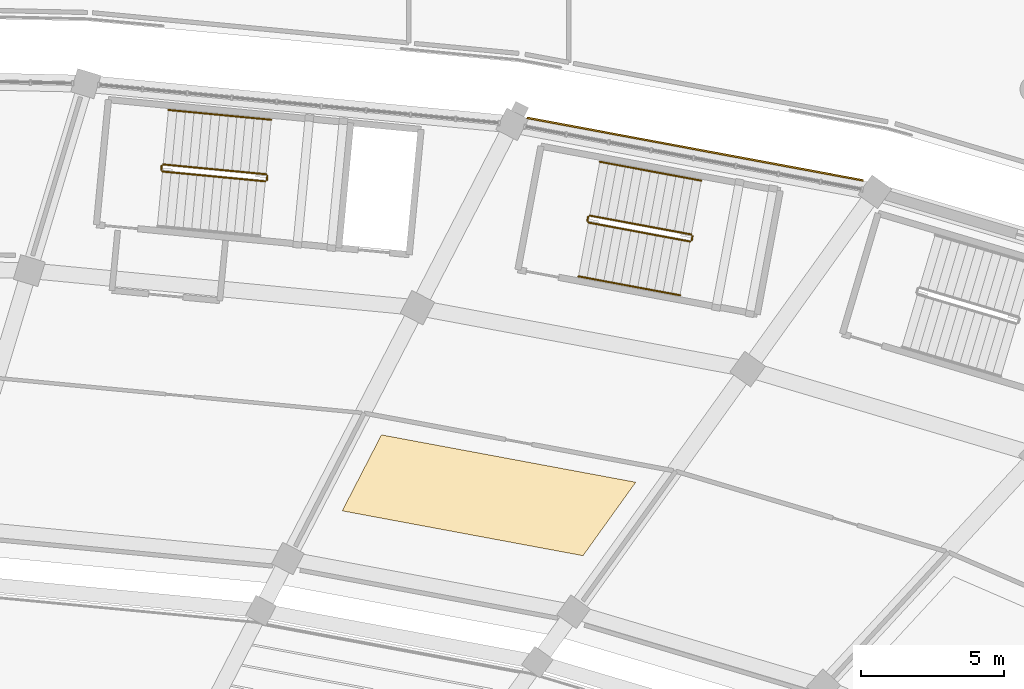
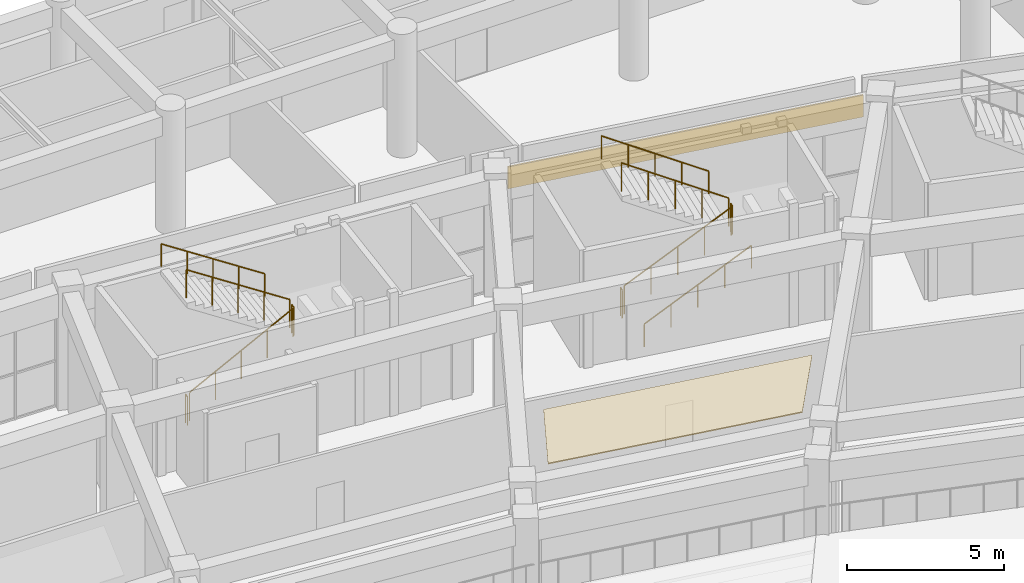
# One storey, part 150 of 152: 11 railings, 2 coverings.
"""IFC4 building model written with IfcOpenShell, lengths in metres."""

from ifc_helpers import new_model, si_unit, direction, frame, origin, origin_2d, place, context, subcontext, project, spatial, polyline, rectangle, circle, outline, extrude, material, layer, layer_set, type_object, element, save


model = new_model("IFC4")

# Units and contexts
model_context = context("Model", 3, precision=1e-05, world=origin(), true_north=direction((0.0, 1.0)))
body_context = subcontext(model_context, "Body", "Model", "MODEL_VIEW")
ifc_project = project(units=[si_unit("LENGTHUNIT", "METRE"), si_unit("AREAUNIT", "SQUARE_METRE"), si_unit("VOLUMEUNIT", "CUBIC_METRE"), si_unit("PLANEANGLEUNIT", "RADIAN"), si_unit("MASSUNIT", "GRAM", prefix="KILO")], contexts=[model_context])

# Site, building, storey
site_placement = place(None, origin())
site = spatial("IfcSite", under=ifc_project, at=site_placement, CompositionType="ELEMENT")
building_placement = place(site_placement, origin())
building = spatial("IfcBuilding", under=site, at=building_placement, Name="Mphavela Belvedere Stadium", CompositionType="ELEMENT")
storey_placement = place(building_placement, frame((0.0, 0.0, 5.39990234375)))
storey = spatial("IfcBuildingStorey", under=building, at=storey_placement, Name="L01", CompositionType="ELEMENT", Elevation=5.39990234375)

# Coverings
ifc_material_1 = material(Name="Perforated acoustic mineral ceiling tile")
ifc_layer_1 = layer(ifc_material_1, 0.0400390625)
ifc_layer_set_1 = layer_set([ifc_layer_1], Name="Perforated acoustic mineral ceiling tile")
covering_type_1 = type_object("IfcCoveringType", Name="COV-CEILING-ACOUSTIC", PredefinedType="CEILING", material=ifc_layer_set_1)
covering_1_placement = place(storey_placement, frame((0.0, 0.0, 3.5)))
element("IfcCovering", 1, at=covering_1_placement, inside=storey, type_object=covering_type_1, Name="Concourse acoustic ceiling L01-10", PredefinedType="CEILING", context=body_context, shape_type="SweptSolid", body=[
    extrude(outline(polyline([(154.560546875, 143.632568359375), (146.1123046875, 145.2060546875), (147.489013671875, 147.870849609375), (156.409912109375, 146.20947265625), (154.560546875, 143.632568359375)])), origin(), (0.0, 0.0, 1.0), 0.0400390625),
])
ifc_material_2 = material(Name="Carved classical limestone entablature frieze cladding", Category="masonry")
ifc_layer_2 = layer(ifc_material_2, 0.06005859375)
ifc_layer_set_2 = layer_set([ifc_layer_2], Name="Carved classical limestone entablature frieze cladding")
covering_type_2 = type_object("IfcCoveringType", Name="COV-FRIEZE-CLAD", PredefinedType="CLADDING", material=ifc_layer_set_2)
covering_2_placement = place(storey_placement, frame((158.49560546875, 157.896728515625, 3.594970703125), z_axis=(0.0, 0.0, 1.0), x_axis=(-0.983095502692, 0.183093507769, 0.0)))
element("IfcCovering", 2, at=covering_2_placement, inside=storey, type_object=covering_type_2, Name="Classical entablature frieze cladding L01-10", PredefinedType="CLADDING", context=body_context, shape_type="SweptSolid", body=[
    extrude(rectangle(XDim=12.00146484375, YDim=0.06005859375, at=origin_2d()), origin(), (0.0, 0.0, 1.0), 0.85009765625),
])

# Railings
ifc_material_3 = material(Name="Painted galvanised steel stair guardrail", Category="steel")
railing_type_1 = type_object("IfcRailingType", Name="RAL-GUARD-1120", PredefinedType="GUARDRAIL", material=ifc_material_3)
railing_1_placement = place(storey_placement, frame((139.807861328125, 157.11181640625, 0.184814453125)))
element("IfcRailing", 3, at=railing_1_placement, inside=storey, type_object=railing_type_1, Name="L01 ST-C03 stair guard 1", PredefinedType="GUARDRAIL", context=body_context, shape_type="SweptSolid", body=[
    extrude(circle(Radius=0.02392578125, at=origin_2d()), frame((0.0, 0.0, 1.09619140625), z_axis=(0.849357654055, -0.081044480762, 0.521558594633), x_axis=(0.094987121002, 0.995478501447, 0.0)), (0.0, 0.0, 1.0), 4.24755859375),
    extrude(circle(Radius=0.02099609375, at=origin_2d()), origin(), (0.0, 0.0, 1.0), 1.072021484375),
    extrude(circle(Radius=0.02099609375, at=origin_2d()), frame((0.90185546875, -0.0859375, 0.5537109375)), (0.0, 0.0, 1.0), 1.072021484375),
    extrude(circle(Radius=0.02099609375, at=origin_2d()), frame((1.8037109375, -0.172119140625, 1.107666015625)), (0.0, 0.0, 1.0), 1.072021484375),
    extrude(circle(Radius=0.02099609375, at=origin_2d()), frame((2.705810546875, -0.25830078125, 1.66162109375)), (0.0, 0.0, 1.0), 1.072021484375),
    extrude(circle(Radius=0.02099609375, at=origin_2d()), frame((3.607666015625, -0.34423828125, 2.21533203125)), (0.0, 0.0, 1.0), 1.072021484375),
])
railing_2_placement = place(storey_placement, frame((143.47021484375, 156.812744140625, 2.400146484375)))
element("IfcRailing", 4, at=railing_2_placement, inside=storey, type_object=railing_type_1, Name="L01 ST-C03 stair guard 2", PredefinedType="GUARDRAIL", context=body_context, shape_type="SweptSolid", body=[
    extrude(circle(Radius=0.02392578125, at=origin_2d()), frame((0.0, 0.0, 1.09619140625), z_axis=(0.094501527919, 0.995524716529, 0.0), x_axis=(-0.995524716529, 0.094501527919, 0.0)), (0.0, 0.0, 1.0), 0.14990234375),
    extrude(circle(Radius=0.02099609375, at=origin_2d()), origin(), (0.0, 0.0, 1.0), 1.072021484375),
    extrude(circle(Radius=0.02099609375, at=origin_2d()), frame((0.01416015625, 0.149169921875, 0.0)), (0.0, 0.0, 1.0), 1.072021484375),
])
railing_3_placement = place(storey_placement, frame((143.439453125, 157.0166015625, 2.584716796875)))
element("IfcRailing", 5, at=railing_3_placement, inside=storey, type_object=railing_type_1, Name="L01 ST-C03 stair guard 3", PredefinedType="GUARDRAIL", context=body_context, shape_type="SweptSolid", body=[
    extrude(circle(Radius=0.02392578125, at=origin_2d()), frame((0.0, 0.0, 1.09619140625), z_axis=(-0.849361609245, 0.080987379538, 0.521561023367), x_axis=(-0.094920361429, -0.99548486929, 0.0)), (0.0, 0.0, 1.0), 4.24755859375),
    extrude(circle(Radius=0.02099609375, at=origin_2d()), origin(), (0.0, 0.0, 1.0), 1.072021484375),
    extrude(circle(Radius=0.02099609375, at=origin_2d()), frame((-0.90185546875, 0.0859375, 0.5537109375)), (0.0, 0.0, 1.0), 1.072021484375),
    extrude(circle(Radius=0.02099609375, at=origin_2d()), frame((-1.8037109375, 0.171875, 1.107666015625)), (0.0, 0.0, 1.0), 1.072021484375),
    extrude(circle(Radius=0.02099609375, at=origin_2d()), frame((-2.705810546875, 0.258056640625, 1.66162109375)), (0.0, 0.0, 1.0), 1.072021484375),
    extrude(circle(Radius=0.02099609375, at=origin_2d()), frame((-3.607666015625, 0.343994140625, 2.21533203125)), (0.0, 0.0, 1.0), 1.072021484375),
])
railing_4_placement = place(storey_placement, frame((139.762939453125, 157.166259765625, 0.0)))
element("IfcRailing", 6, at=railing_4_placement, inside=storey, type_object=railing_type_1, Name="L01 ST-C03 stair guard 4", PredefinedType="GUARDRAIL", context=body_context, shape_type="SweptSolid", body=[
    extrude(circle(Radius=0.02392578125, at=origin_2d()), frame((0.0, 0.0, 1.09619140625), z_axis=(0.094348489313, 0.995539232057, 0.0), x_axis=(-0.995539232057, 0.094348489313, 0.0)), (0.0, 0.0, 1.0), 0.150146484375),
    extrude(circle(Radius=0.02099609375, at=origin_2d()), origin(), (0.0, 0.0, 1.0), 1.072021484375),
    extrude(circle(Radius=0.02099609375, at=origin_2d()), frame((0.01416015625, 0.1494140625, 0.0)), (0.0, 0.0, 1.0), 1.072021484375),
])
railing_5_placement = place(storey_placement, frame((154.753173828125, 155.321044921875, 0.184814453125)))
element("IfcRailing", 7, at=railing_5_placement, inside=storey, type_object=railing_type_1, Name="L01 ST-P02 stair guard 1", PredefinedType="GUARDRAIL", context=body_context, shape_type="SweptSolid", body=[
    extrude(circle(Radius=0.02392578125, at=origin_2d()), frame((0.0, 0.0, 1.09619140625), z_axis=(0.838788087983, -0.156227370872, 0.521562606068), x_axis=(0.183104767783, 0.983093405539, 0.0)), (0.0, 0.0, 1.0), 4.24755859375),
    extrude(circle(Radius=0.02099609375, at=origin_2d()), origin(), (0.0, 0.0, 1.0), 1.072021484375),
    extrude(circle(Radius=0.02099609375, at=origin_2d()), frame((0.890625, -0.166015625, 0.5537109375)), (0.0, 0.0, 1.0), 1.072021484375),
    extrude(circle(Radius=0.02099609375, at=origin_2d()), frame((1.78125, -0.331787109375, 1.107666015625)), (0.0, 0.0, 1.0), 1.072021484375),
    extrude(circle(Radius=0.02099609375, at=origin_2d()), frame((2.672119140625, -0.49755859375, 1.66162109375)), (0.0, 0.0, 1.0), 1.072021484375),
    extrude(circle(Radius=0.02099609375, at=origin_2d()), frame((3.562744140625, -0.66357421875, 2.21533203125)), (0.0, 0.0, 1.0), 1.072021484375),
])
railing_6_placement = place(storey_placement, frame((158.374267578125, 154.697509765625, 2.400146484375)))
element("IfcRailing", 8, at=railing_6_placement, inside=storey, type_object=railing_type_1, Name="L01 ST-P02 stair guard 2", PredefinedType="GUARDRAIL", context=body_context, shape_type="SweptSolid", body=[
    extrude(circle(Radius=0.02392578125, at=origin_2d()), frame((0.0, 0.0, 1.09619140625), z_axis=(0.183895489382, 0.982945801652, 0.0), x_axis=(-0.982945801652, 0.183895489382, 0.0)), (0.0, 0.0, 1.0), 0.14990234375),
    extrude(circle(Radius=0.02099609375, at=origin_2d()), origin(), (0.0, 0.0, 1.0), 1.072021484375),
    extrude(circle(Radius=0.02099609375, at=origin_2d()), frame((0.027587890625, 0.1474609375, 0.0)), (0.0, 0.0, 1.0), 1.072021484375),
])
railing_7_placement = place(storey_placement, frame((158.36181640625, 154.903076171875, 2.584716796875)))
element("IfcRailing", 9, at=railing_7_placement, inside=storey, type_object=railing_type_1, Name="L01 ST-P02 stair guard 3", PredefinedType="GUARDRAIL", context=body_context, shape_type="SweptSolid", body=[
    extrude(circle(Radius=0.02392578125, at=origin_2d()), frame((0.0, 0.0, 1.09619140625), z_axis=(-0.838788087983, 0.156227370872, 0.521562606068), x_axis=(-0.183104767783, -0.983093405539, 0.0)), (0.0, 0.0, 1.0), 4.24755859375),
    extrude(circle(Radius=0.02099609375, at=origin_2d()), origin(), (0.0, 0.0, 1.0), 1.072021484375),
    extrude(circle(Radius=0.02099609375, at=origin_2d()), frame((-0.890625, 0.166015625, 0.5537109375)), (0.0, 0.0, 1.0), 1.072021484375),
    extrude(circle(Radius=0.02099609375, at=origin_2d()), frame((-1.78125, 0.331787109375, 1.107666015625)), (0.0, 0.0, 1.0), 1.072021484375),
    extrude(circle(Radius=0.02099609375, at=origin_2d()), frame((-2.672119140625, 0.49755859375, 1.66162109375)), (0.0, 0.0, 1.0), 1.072021484375),
    extrude(circle(Radius=0.02099609375, at=origin_2d()), frame((-3.562744140625, 0.66357421875, 2.21533203125)), (0.0, 0.0, 1.0), 1.072021484375),
])
railing_8_placement = place(storey_placement, frame((154.713134765625, 155.379150390625, 0.0)))
element("IfcRailing", 10, at=railing_8_placement, inside=storey, type_object=railing_type_1, Name="L01 ST-P02 stair guard 4", PredefinedType="GUARDRAIL", context=body_context, shape_type="SweptSolid", body=[
    extrude(circle(Radius=0.02392578125, at=origin_2d()), frame((0.0, 0.0, 1.09619140625), z_axis=(0.183895489382, 0.982945801652, 0.0), x_axis=(-0.982945801652, 0.183895489382, 0.0)), (0.0, 0.0, 1.0), 0.14990234375),
    extrude(circle(Radius=0.02099609375, at=origin_2d()), origin(), (0.0, 0.0, 1.0), 1.072021484375),
    extrude(circle(Radius=0.02099609375, at=origin_2d()), frame((0.027587890625, 0.1474609375, 0.0)), (0.0, 0.0, 1.0), 1.072021484375),
])
ifc_material_4 = material(Name="Brushed stainless steel tubular handrail", Category="steel")
railing_type_2 = type_object("IfcRailingType", Name="RAL-HANDRAIL-900", PredefinedType="HANDRAIL", material=ifc_material_4)
railing_9_placement = place(storey_placement, frame((143.62158203125, 158.927734375, 2.584716796875)))
element("IfcRailing", 11, at=railing_9_placement, inside=storey, type_object=railing_type_2, Name="L01 ST-C03 stair handrail 2", PredefinedType="HANDRAIL", context=body_context, shape_type="SweptSolid", body=[
    extrude(circle(Radius=0.02392578125, at=origin_2d()), frame((0.0, 0.0, 0.8759765625), z_axis=(-0.849341639897, 0.081048437483, 0.521584057961), x_axis=(-0.094993491468, -0.995477893566, 0.0)), (0.0, 0.0, 1.0), 4.247314453125),
    extrude(circle(Radius=0.02099609375, at=origin_2d()), origin(), (0.0, 0.0, 1.0), 0.851806640625),
    extrude(circle(Radius=0.02099609375, at=origin_2d()), frame((-0.90185546875, 0.0859375, 0.5537109375)), (0.0, 0.0, 1.0), 0.851806640625),
    extrude(circle(Radius=0.02099609375, at=origin_2d()), frame((-1.8037109375, 0.172119140625, 1.107666015625)), (0.0, 0.0, 1.0), 0.851806640625),
    extrude(circle(Radius=0.02099609375, at=origin_2d()), frame((-2.70556640625, 0.25830078125, 1.66162109375)), (0.0, 0.0, 1.0), 0.851806640625),
    extrude(circle(Radius=0.02099609375, at=origin_2d()), frame((-3.607421875, 0.34423828125, 2.21533203125)), (0.0, 0.0, 1.0), 0.851806640625),
])
railing_10_placement = place(storey_placement, frame((154.401611328125, 153.433349609375, 0.184814453125)))
element("IfcRailing", 12, at=railing_10_placement, inside=storey, type_object=railing_type_2, Name="L01 ST-P02 stair handrail 1", PredefinedType="HANDRAIL", context=body_context, shape_type="SweptSolid", body=[
    extrude(circle(Radius=0.02392578125, at=origin_2d()), frame((0.0, 0.0, 0.8759765625), z_axis=(0.838788087983, -0.156227370872, 0.521562606068), x_axis=(0.183104767783, 0.983093405539, 0.0)), (0.0, 0.0, 1.0), 4.24755859375),
    extrude(circle(Radius=0.02099609375, at=origin_2d()), origin(), (0.0, 0.0, 1.0), 0.851806640625),
    extrude(circle(Radius=0.02099609375, at=origin_2d()), frame((0.890625, -0.166015625, 0.5537109375)), (0.0, 0.0, 1.0), 0.851806640625),
    extrude(circle(Radius=0.02099609375, at=origin_2d()), frame((1.78125, -0.331787109375, 1.107666015625)), (0.0, 0.0, 1.0), 0.851806640625),
    extrude(circle(Radius=0.02099609375, at=origin_2d()), frame((2.672119140625, -0.49755859375, 1.66162109375)), (0.0, 0.0, 1.0), 0.851806640625),
    extrude(circle(Radius=0.02099609375, at=origin_2d()), frame((3.562744140625, -0.66357421875, 2.21533203125)), (0.0, 0.0, 1.0), 0.851806640625),
])
railing_11_placement = place(storey_placement, frame((158.71337890625, 156.790771484375, 2.584716796875)))
element("IfcRailing", 13, at=railing_11_placement, inside=storey, type_object=railing_type_2, Name="L01 ST-P02 stair handrail 2", PredefinedType="HANDRAIL", context=body_context, shape_type="SweptSolid", body=[
    extrude(circle(Radius=0.02392578125, at=origin_2d()), frame((0.0, 0.0, 0.8759765625), z_axis=(-0.838788087983, 0.156227370872, 0.521562606068), x_axis=(-0.183104767783, -0.983093405539, 0.0)), (0.0, 0.0, 1.0), 4.24755859375),
    extrude(circle(Radius=0.02099609375, at=origin_2d()), origin(), (0.0, 0.0, 1.0), 0.851806640625),
    extrude(circle(Radius=0.02099609375, at=origin_2d()), frame((-0.890625, 0.166015625, 0.5537109375)), (0.0, 0.0, 1.0), 0.851806640625),
    extrude(circle(Radius=0.02099609375, at=origin_2d()), frame((-1.78125, 0.331787109375, 1.107666015625)), (0.0, 0.0, 1.0), 0.851806640625),
    extrude(circle(Radius=0.02099609375, at=origin_2d()), frame((-2.672119140625, 0.49755859375, 1.66162109375)), (0.0, 0.0, 1.0), 0.851806640625),
    extrude(circle(Radius=0.02099609375, at=origin_2d()), frame((-3.562744140625, 0.66357421875, 2.21533203125)), (0.0, 0.0, 1.0), 0.851806640625),
])

save(model, "model.ifc")
